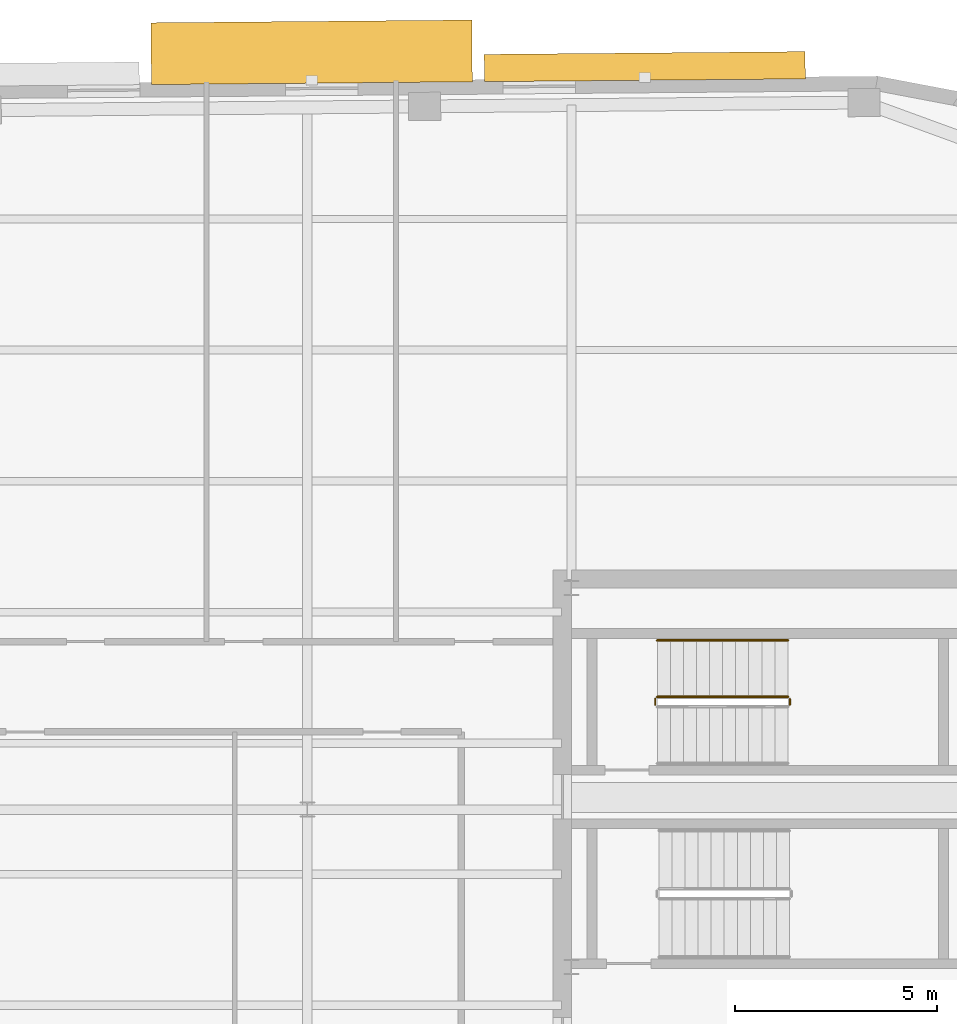
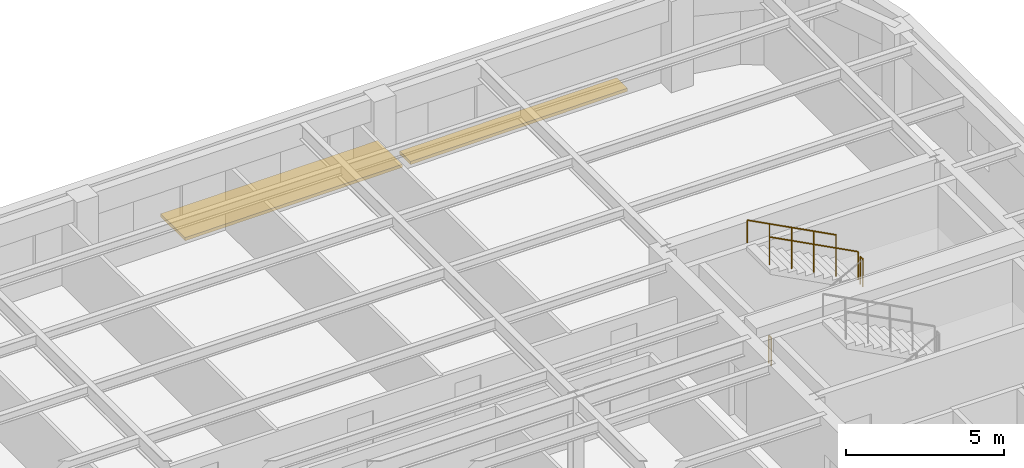
# One storey, part 14 of 14: 4 railings, 2 shading devices.
"""IFC4 building model written with IfcOpenShell, lengths in metres."""

from ifc_helpers import new_model, si_unit, direction, frame, origin, origin_2d, place, context, subcontext, project, spatial, rectangle, circle, extrude, material, type_object, element, save


model = new_model("IFC4")

# Units and contexts
model_context = context("Model", 3, precision=1e-05, world=origin(), true_north=direction((0.0, 1.0)))
body_context = subcontext(model_context, "Body", "Model", "MODEL_VIEW")
ifc_project = project(units=[si_unit("LENGTHUNIT", "METRE"), si_unit("AREAUNIT", "SQUARE_METRE"), si_unit("VOLUMEUNIT", "CUBIC_METRE"), si_unit("PLANEANGLEUNIT", "RADIAN"), si_unit("MASSUNIT", "GRAM", prefix="KILO")], contexts=[model_context])

# Site, building, storey
site_placement = place(None, origin())
site = spatial("IfcSite", under=ifc_project, at=site_placement, CompositionType="ELEMENT")
building_placement = place(site_placement, origin())
building = spatial("IfcBuilding", under=site, at=building_placement, Name="Kolvaren Arena Tower", CompositionType="ELEMENT")
storey_placement = place(building_placement, frame((0.0, 0.0, 308.64990234375)))
storey = spatial("IfcBuildingStorey", under=building, at=storey_placement, Name="L76", CompositionType="ELEMENT", Elevation=308.64990234375)

# Railings
ifc_material_1 = material(Name="Painted galvanized steel", Category="steel")
railing_type_1 = type_object("IfcRailingType", Name="GUARD-ST-110", PredefinedType="GUARDRAIL", material=ifc_material_1)
railing_1_placement = place(storey_placement, frame((55.969970703125, 36.449951171875, 1.875)))
element("IfcRailing", 1, at=railing_1_placement, inside=storey, type_object=railing_type_1, Name="L76 ST-E2 stair guard 2", PredefinedType="GUARDRAIL", context=body_context, shape_type="SweptSolid", body=[
    extrude(circle(Radius=0.02392578125, at=origin_2d()), frame((0.0, 0.0, 1.076171875), z_axis=(0.0, 1.0, 0.0), x_axis=(-1.0, 0.0, 0.0)), (0.0, 0.0, 1.0), 0.150146484375),
    extrude(circle(Radius=0.02099609375, at=origin_2d()), origin(), (0.0, 0.0, 1.0), 1.052001953125),
    extrude(circle(Radius=0.02099609375, at=origin_2d()), frame((0.0, 0.150146484375, 0.0)), (0.0, 0.0, 1.0), 1.052001953125),
])
railing_2_placement = place(storey_placement, frame((55.919921875, 36.64990234375, 2.045654296875)))
element("IfcRailing", 2, at=railing_2_placement, inside=storey, type_object=railing_type_1, Name="L76 ST-E2 stair guard 3", PredefinedType="GUARDRAIL", context=body_context, shape_type="SweptSolid", body=[
    extrude(circle(Radius=0.02392578125, at=origin_2d()), frame((0.0, 0.0, 1.076171875), z_axis=(-0.885020909582, 0.0, 0.465551274945), x_axis=(0.0, -1.0, 0.0)), (0.0, 0.0, 1.0), 3.660888671875),
    extrude(circle(Radius=0.02099609375, at=origin_2d()), origin(), (0.0, 0.0, 1.0), 1.052001953125),
    extrude(circle(Radius=0.02099609375, at=origin_2d()), frame((-0.81005859375, 0.0, 0.426025390625)), (0.0, 0.0, 1.0), 1.052001953125),
    extrude(circle(Radius=0.02099609375, at=origin_2d()), frame((-1.6201171875, 0.0, 0.85205078125)), (0.0, 0.0, 1.0), 1.052001953125),
    extrude(circle(Radius=0.02099609375, at=origin_2d()), frame((-2.429931640625, 0.0, 1.2783203125)), (0.0, 0.0, 1.0), 1.052001953125),
    extrude(circle(Radius=0.02099609375, at=origin_2d()), frame((-3.239990234375, 0.0, 1.704345703125)), (0.0, 0.0, 1.0), 1.052001953125),
])
railing_3_placement = place(storey_placement, frame((52.6298828125, 36.449951171875, 0.0)))
element("IfcRailing", 3, at=railing_3_placement, inside=storey, type_object=railing_type_1, Name="L76 ST-E2 stair guard 4", PredefinedType="GUARDRAIL", context=body_context, shape_type="SweptSolid", body=[
    extrude(circle(Radius=0.02392578125, at=origin_2d()), frame((0.0, 0.0, 1.076171875), z_axis=(0.0, 1.0, 0.0), x_axis=(-1.0, 0.0, 0.0)), (0.0, 0.0, 1.0), 0.150146484375),
    extrude(circle(Radius=0.02099609375, at=origin_2d()), origin(), (0.0, 0.0, 1.0), 1.052001953125),
    extrude(circle(Radius=0.02099609375, at=origin_2d()), frame((0.0, 0.150146484375, 0.0)), (0.0, 0.0, 1.0), 1.052001953125),
])
ifc_material_2 = material(Name="Brushed stainless steel handrail", Category="steel")
railing_type_2 = type_object("IfcRailingType", Name="HRAIL-900", PredefinedType="HANDRAIL", material=ifc_material_2)
railing_4_placement = place(storey_placement, frame((55.919921875, 38.050048828125, 2.045654296875)))
element("IfcRailing", 4, at=railing_4_placement, inside=storey, type_object=railing_type_2, Name="L76 ST-E2 stair handrail 2", PredefinedType="HANDRAIL", context=body_context, shape_type="SweptSolid", body=[
    extrude(circle(Radius=0.02392578125, at=origin_2d()), frame((0.0, 0.0, 0.8759765625), z_axis=(-0.885020909582, 0.0, 0.465551274945), x_axis=(0.0, -1.0, 0.0)), (0.0, 0.0, 1.0), 3.660888671875),
    extrude(circle(Radius=0.02099609375, at=origin_2d()), origin(), (0.0, 0.0, 1.0), 0.851806640625),
    extrude(circle(Radius=0.02099609375, at=origin_2d()), frame((-0.81005859375, 0.0, 0.426025390625)), (0.0, 0.0, 1.0), 0.851806640625),
    extrude(circle(Radius=0.02099609375, at=origin_2d()), frame((-1.6201171875, 0.0, 0.85205078125)), (0.0, 0.0, 1.0), 0.851806640625),
    extrude(circle(Radius=0.02099609375, at=origin_2d()), frame((-2.429931640625, 0.0, 1.2783203125)), (0.0, 0.0, 1.0), 0.851806640625),
    extrude(circle(Radius=0.02099609375, at=origin_2d()), frame((-3.239990234375, 0.0, 1.704345703125)), (0.0, 0.0, 1.0), 0.851806640625),
])

# Shading devices
ifc_material_3 = material(Name="Architectural precast GFRC and anodised aluminium sunshade", Category="concrete")
shading_device_type_1 = type_object("IfcShadingDeviceType", Name="SHAD-SINE-A", PredefinedType="USERDEFINED", material=ifc_material_3)
shading_device_1_placement = place(storey_placement, frame((52.3701171875, 52.280517578125, -0.139892578125), z_axis=(0.0, 0.0, 1.0), x_axis=(0.999961923064, 0.008726535498, 0.0)))
element("IfcShadingDevice", 5, at=shading_device_1_placement, inside=storey, type_object=shading_device_type_1, Name="Sinusoidal Slab-Edge Sunshade Louvre (L76)", ObjectType="LOUVRE", PredefinedType="USERDEFINED", context=body_context, shape_type="SweptSolid", body=[
    extrude(rectangle(XDim=7.9599609375, YDim=0.677001953125, at=origin_2d()), origin(), (0.0, 0.0, 1.0), 0.1201171875),
])
shading_device_type_2 = type_object("IfcShadingDeviceType", Name="SHAD-SINE-B", PredefinedType="JALOUSIE", material=ifc_material_3)
shading_device_2_placement = place(storey_placement, frame((44.106689453125, 52.63623046875, -0.139892578125), z_axis=(0.0, 0.0, 1.0), x_axis=(0.999961923064, 0.008726535498, 0.0)))
element("IfcShadingDevice", 6, at=shading_device_2_placement, inside=storey, type_object=shading_device_type_2, Name="Sinusoidal Slab-Edge Sunshade Louvre (L76)", PredefinedType="JALOUSIE", context=body_context, shape_type="SweptSolid", body=[
    extrude(rectangle(XDim=7.9599609375, YDim=1.53271484375, at=origin_2d()), origin(), (0.0, 0.0, 1.0), 0.1201171875),
])

save(model, "model.ifc")
